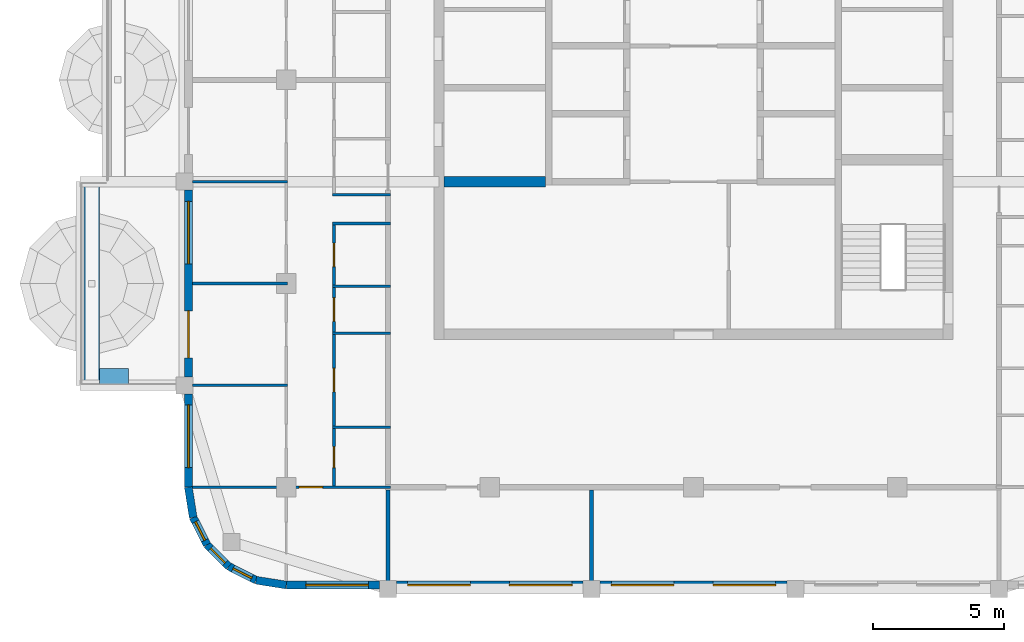
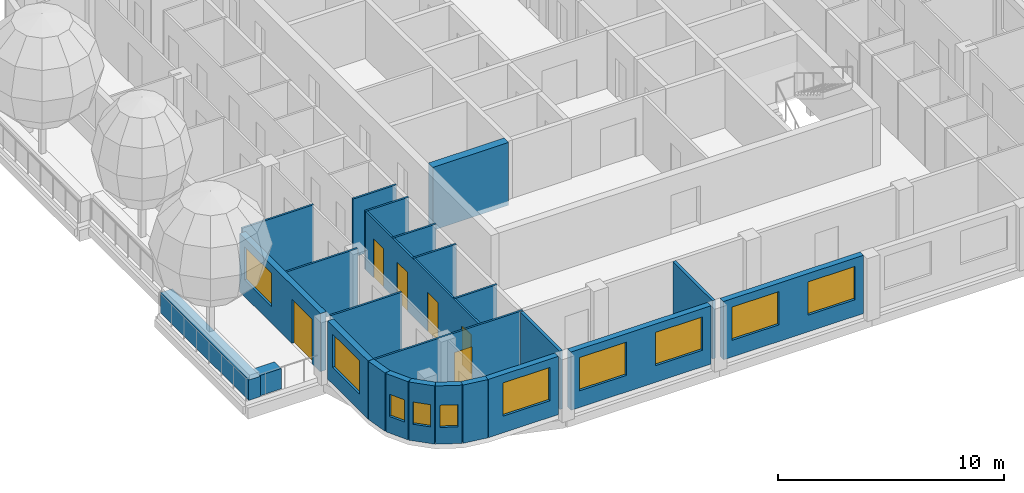
# One storey, part 2 of 13: 25 walls, 10 windows, 6 doors, 16 openings.
"""IFC4 building model written with IfcOpenShell, lengths in metres."""

from ifc_helpers import new_model, si_unit, direction, frame, frame_2d, origin, place, context, subcontext, project, spatial, rectangle, extrude, material, layer, layer_set, type_object, element, fill, save


model = new_model("IFC4")

# Units and contexts
model_context = context("Model", 3, precision=1e-05, world=origin(), true_north=direction((0.0, 1.0)))
body_context = subcontext(model_context, "Body", "Model", "MODEL_VIEW")
ifc_project = project(units=[si_unit("LENGTHUNIT", "METRE"), si_unit("AREAUNIT", "SQUARE_METRE"), si_unit("VOLUMEUNIT", "CUBIC_METRE"), si_unit("PLANEANGLEUNIT", "RADIAN"), si_unit("MASSUNIT", "GRAM", prefix="KILO")], contexts=[model_context])

# Site, building, storey
site_placement = place(None, origin())
site = spatial("IfcSite", under=ifc_project, at=site_placement, CompositionType="ELEMENT")
building_placement = place(site_placement, origin())
building = spatial("IfcBuilding", under=site, at=building_placement, Name="Ludao Terraces", CompositionType="ELEMENT")
storey_placement = place(building_placement, frame((0.0, 0.0, 259.60009765625)))
storey = spatial("IfcBuildingStorey", under=building, at=storey_placement, Name="L71", CompositionType="ELEMENT", Elevation=259.60009765625)

# Walls
ifc_material_1 = material(Name="Concrete C40", Category="concrete")
ifc_layer_1 = layer(ifc_material_1, 0.60009765625)
ifc_layer_set_1 = layer_set([ifc_layer_1], Name="ENV Planter trough 600")
wall_type_1 = type_object("IfcWallType", Name="ENV Planter trough 600", PredefinedType="USERDEFINED", material=ifc_layer_set_1)
wall_1_placement = place(storey_placement, frame((61.949951171875, 53.300048828125, 0.0), z_axis=(0.0, 0.0, 1.0), x_axis=(0.0, 1.0, 0.0)))
element("IfcWall", 1, at=wall_1_placement, inside=storey, type_object=wall_type_1, Name="PL-L71-W1", ObjectType="PLANTER", PredefinedType="USERDEFINED", context=body_context, shape_type="SweptSolid", body=[
    extrude(rectangle(XDim=7.800048828125, YDim=0.60009765625, at=frame_2d((3.89990234375, 0.0))), origin(), (0.0, 0.0, 1.0), 1.099853515625),
])
wall_2_placement = place(storey_placement, frame((62.25, 53.64990234375, 0.0), z_axis=(0.0, 0.0, 1.0), x_axis=(1.0, 0.0, 0.0)))
element("IfcWall", 2, at=wall_2_placement, inside=storey, type_object=wall_type_1, Name="PL-L71-W1-SA", ObjectType="PLANTER", PredefinedType="USERDEFINED", context=body_context, shape_type="SweptSolid", body=[
    extrude(rectangle(XDim=1.10009765625, YDim=0.60009765625, at=frame_2d((0.550048828125, 0.0))), origin(), (0.0, 0.0, 1.0), 1.099853515625),
])

# Wall, opening, window
ifc_material_2 = material(Name="Granite cladding", Category="masonry")
ifc_layer_2 = layer(ifc_material_2, 0.0400390625, Category="stone")
ifc_material_3 = material(Name="Mineral wool")
ifc_layer_3 = layer(ifc_material_3, 0.06005859375)
ifc_layer_4 = layer(ifc_material_1, 0.199951171875, Category="concrete")
ifc_layer_set_2 = layer_set([ifc_layer_2, ifc_layer_3, ifc_layer_4], Name="ENV Stone-clad wall 300")
wall_type_2 = type_object("IfcWallType", Name="ENV Stone-clad wall 300", PredefinedType="SOLIDWALL", material=ifc_layer_set_2)
wall_3_placement = place(storey_placement, frame((69.39990234375, 45.64990234375, 0.0), z_axis=(0.0, 0.0, 1.0), x_axis=(1.0, 0.0, 0.0)))
wall_3 = element("IfcWall", 3, at=wall_3_placement, inside=storey, type_object=wall_type_2, Name="EW-L71-S1", PredefinedType="SOLIDWALL", context=body_context, shape_type="SweptSolid", body=[
    extrude(rectangle(XDim=3.5751953125, YDim=0.300048828125, at=frame_2d((1.78759765625, 0.0))), origin(), (0.0, 0.0, 1.0), 3.14990234375),
])
opening_1_placement = place(wall_3_placement, frame((0.75, 0.0, 0.89990234375)))
opening_1 = element("IfcOpeningElement", 4, at=opening_1_placement, cuts=wall_3, Name="Opening W1", PredefinedType="OPENING", context=body_context, shape_type="SweptSolid", body=[
    extrude(rectangle(XDim=2.39990234375, YDim=1.800048828125, at=frame_2d((1.199951171875, 0.89990234375))), frame((0.0, 0.16015625, 0.0), z_axis=(0.0, -1.0, 0.0), x_axis=(1.0, 0.0, 0.0)), (0.0, 0.0, 1.0), 0.320068359375),
])
ifc_material_4 = material(Name="Clear glass in aluminium frame", Category="aluminium")
ifc_layer_5 = layer(ifc_material_4, 0.06005859375)
ifc_layer_set_3 = layer_set([ifc_layer_5], Name="ENV Window W1 2400x1800")
window_type_1 = type_object("IfcWindowType", Name="ENV Window W1 2400x1800", PartitioningType="DOUBLE_PANEL_VERTICAL", PredefinedType="WINDOW", material=ifc_layer_set_3)
window_1_placement = place(opening_1_placement, origin())
window_1 = element("IfcWindow", 5, at=window_1_placement, inside=storey, type_object=window_type_1, Name="W-L71-S1-1", OverallHeight=1.800048828125, OverallWidth=2.39990234375, PartitioningType="DOUBLE_PANEL_VERTICAL", PredefinedType="WINDOW", context=body_context, shape_type="SweptSolid", body=[
    extrude(rectangle(XDim=2.39990234375, YDim=1.800048828125, at=frame_2d((1.199951171875, 0.89990234375))), frame((0.0, 0.030029296875, 0.0), z_axis=(0.0, -1.0, 0.0), x_axis=(1.0, 0.0, 0.0)), (0.0, 0.0, 1.0), 0.06005859375),
])
fill(opening_1, window_1)

# Wall, openings, windows
wall_4_placement = place(storey_placement, frame((73.625, 45.64990234375, 0.0), z_axis=(0.0, 0.0, 1.0), x_axis=(1.0, 0.0, 0.0)))
wall_4 = element("IfcWall", 6, at=wall_4_placement, inside=storey, type_object=wall_type_2, Name="EW-L71-S2", PredefinedType="SOLIDWALL", context=body_context, shape_type="SweptSolid", body=[
    extrude(rectangle(XDim=7.14990234375, YDim=0.300048828125, at=frame_2d((3.574951171875, 0.0))), origin(), (0.0, 0.0, 1.0), 3.14990234375),
])
opening_2_placement = place(wall_4_placement, frame((0.425048828125, 0.0, 0.89990234375)))
opening_2 = element("IfcOpeningElement", 7, at=opening_2_placement, cuts=wall_4, Name="Opening W1", PredefinedType="OPENING", context=body_context, shape_type="SweptSolid", body=[
    extrude(rectangle(XDim=2.39990234375, YDim=1.800048828125, at=frame_2d((1.199951171875, 0.89990234375))), frame((0.0, 0.16015625, 0.0), z_axis=(0.0, -1.0, 0.0), x_axis=(1.0, 0.0, 0.0)), (0.0, 0.0, 1.0), 0.320068359375),
])
opening_3_placement = place(wall_4_placement, frame((4.324951171875, 0.0, 0.89990234375)))
opening_3 = element("IfcOpeningElement", 8, at=opening_3_placement, cuts=wall_4, Name="Opening W1", PredefinedType="OPENING", context=body_context, shape_type="SweptSolid", body=[
    extrude(rectangle(XDim=2.39990234375, YDim=1.800048828125, at=frame_2d((1.199951171875, 0.89990234375))), frame((0.0, 0.16015625, 0.0), z_axis=(0.0, -1.0, 0.0), x_axis=(1.0, 0.0, 0.0)), (0.0, 0.0, 1.0), 0.320068359375),
])
window_2_placement = place(opening_2_placement, origin())
window_2 = element("IfcWindow", 9, at=window_2_placement, inside=storey, type_object=window_type_1, Name="W-L71-S2-1", OverallHeight=1.800048828125, OverallWidth=2.39990234375, PartitioningType="DOUBLE_PANEL_VERTICAL", PredefinedType="WINDOW", context=body_context, shape_type="SweptSolid", body=[
    extrude(rectangle(XDim=2.39990234375, YDim=1.800048828125, at=frame_2d((1.199951171875, 0.89990234375))), frame((0.0, 0.030029296875, 0.0), z_axis=(0.0, -1.0, 0.0), x_axis=(1.0, 0.0, 0.0)), (0.0, 0.0, 1.0), 0.06005859375),
])
fill(opening_2, window_2)
window_3_placement = place(opening_3_placement, origin())
window_3 = element("IfcWindow", 10, at=window_3_placement, inside=storey, type_object=window_type_1, Name="W-L71-S2-2", OverallHeight=1.800048828125, OverallWidth=2.39990234375, PartitioningType="DOUBLE_PANEL_VERTICAL", PredefinedType="WINDOW", context=body_context, shape_type="SweptSolid", body=[
    extrude(rectangle(XDim=2.39990234375, YDim=1.800048828125, at=frame_2d((1.199951171875, 0.89990234375))), frame((0.0, 0.030029296875, 0.0), z_axis=(0.0, -1.0, 0.0), x_axis=(1.0, 0.0, 0.0)), (0.0, 0.0, 1.0), 0.06005859375),
])
fill(opening_3, window_3)

wall_5_placement = place(storey_placement, frame((81.425048828125, 45.64990234375, 0.0), z_axis=(0.0, 0.0, 1.0), x_axis=(1.0, 0.0, 0.0)))
wall_5 = element("IfcWall", 11, at=wall_5_placement, inside=storey, type_object=wall_type_2, Name="EW-L71-S3", PredefinedType="SOLIDWALL", context=body_context, shape_type="SweptSolid", body=[
    extrude(rectangle(XDim=7.14990234375, YDim=0.300048828125, at=frame_2d((3.574951171875, 0.0))), origin(), (0.0, 0.0, 1.0), 3.14990234375),
])
opening_4_placement = place(wall_5_placement, frame((0.425048828125, 0.0, 0.89990234375)))
opening_4 = element("IfcOpeningElement", 12, at=opening_4_placement, cuts=wall_5, Name="Opening W1", PredefinedType="OPENING", context=body_context, shape_type="SweptSolid", body=[
    extrude(rectangle(XDim=2.39990234375, YDim=1.800048828125, at=frame_2d((1.199951171875, 0.89990234375))), frame((0.0, 0.16015625, 0.0), z_axis=(0.0, -1.0, 0.0), x_axis=(1.0, 0.0, 0.0)), (0.0, 0.0, 1.0), 0.320068359375),
])
opening_5_placement = place(wall_5_placement, frame((4.324951171875, 0.0, 0.89990234375)))
opening_5 = element("IfcOpeningElement", 13, at=opening_5_placement, cuts=wall_5, Name="Opening W1", PredefinedType="OPENING", context=body_context, shape_type="SweptSolid", body=[
    extrude(rectangle(XDim=2.39990234375, YDim=1.800048828125, at=frame_2d((1.199951171875, 0.89990234375))), frame((0.0, 0.16015625, 0.0), z_axis=(0.0, -1.0, 0.0), x_axis=(1.0, 0.0, 0.0)), (0.0, 0.0, 1.0), 0.320068359375),
])
window_4_placement = place(opening_4_placement, origin())
window_4 = element("IfcWindow", 14, at=window_4_placement, inside=storey, type_object=window_type_1, Name="W-L71-S3-1", OverallHeight=1.800048828125, OverallWidth=2.39990234375, PartitioningType="DOUBLE_PANEL_VERTICAL", PredefinedType="WINDOW", context=body_context, shape_type="SweptSolid", body=[
    extrude(rectangle(XDim=2.39990234375, YDim=1.800048828125, at=frame_2d((1.199951171875, 0.89990234375))), frame((0.0, 0.030029296875, 0.0), z_axis=(0.0, -1.0, 0.0), x_axis=(1.0, 0.0, 0.0)), (0.0, 0.0, 1.0), 0.06005859375),
])
fill(opening_4, window_4)
window_5_placement = place(opening_5_placement, origin())
window_5 = element("IfcWindow", 15, at=window_5_placement, inside=storey, type_object=window_type_1, Name="W-L71-S3-2", OverallHeight=1.800048828125, OverallWidth=2.39990234375, PartitioningType="DOUBLE_PANEL_VERTICAL", PredefinedType="WINDOW", context=body_context, shape_type="SweptSolid", body=[
    extrude(rectangle(XDim=2.39990234375, YDim=1.800048828125, at=frame_2d((1.199951171875, 0.89990234375))), frame((0.0, 0.030029296875, 0.0), z_axis=(0.0, -1.0, 0.0), x_axis=(1.0, 0.0, 0.0)), (0.0, 0.0, 1.0), 0.06005859375),
])
fill(opening_5, window_5)

# Wall, opening, window
wall_6_placement = place(storey_placement, frame((65.64990234375, 49.39990234375, 0.0), z_axis=(0.0, 0.0, 1.0), x_axis=(0.0, 1.0, 0.0)))
wall_6 = element("IfcWall", 16, at=wall_6_placement, inside=storey, type_object=wall_type_2, Name="EW-L71-W1", PredefinedType="SOLIDWALL", context=body_context, shape_type="SweptSolid", body=[
    extrude(rectangle(XDim=3.5751953125, YDim=0.300048828125, at=frame_2d((1.78759765625, 0.0))), origin(), (0.0, 0.0, 1.0), 3.14990234375),
])
opening_6_placement = place(wall_6_placement, frame((0.75, 0.0, 0.89990234375)))
opening_6 = element("IfcOpeningElement", 17, at=opening_6_placement, cuts=wall_6, Name="Opening W1", PredefinedType="OPENING", context=body_context, shape_type="SweptSolid", body=[
    extrude(rectangle(XDim=2.39990234375, YDim=1.800048828125, at=frame_2d((1.199951171875, 0.89990234375))), frame((0.0, 0.16015625, 0.0), z_axis=(0.0, -1.0, 0.0), x_axis=(1.0, 0.0, 0.0)), (0.0, 0.0, 1.0), 0.320068359375),
])
window_6_placement = place(opening_6_placement, origin())
window_6 = element("IfcWindow", 18, at=window_6_placement, inside=storey, type_object=window_type_1, Name="W-L71-W1-1", OverallHeight=1.800048828125, OverallWidth=2.39990234375, PartitioningType="DOUBLE_PANEL_VERTICAL", PredefinedType="WINDOW", context=body_context, shape_type="SweptSolid", body=[
    extrude(rectangle(XDim=2.39990234375, YDim=1.800048828125, at=frame_2d((1.199951171875, 0.89990234375))), frame((0.0, 0.030029296875, 0.0), z_axis=(0.0, -1.0, 0.0), x_axis=(1.0, 0.0, 0.0)), (0.0, 0.0, 1.0), 0.06005859375),
])
fill(opening_6, window_6)

# Wall, openings, door, window
wall_7_placement = place(storey_placement, frame((65.64990234375, 53.625, 0.0), z_axis=(0.0, 0.0, 1.0), x_axis=(0.0, 1.0, 0.0)))
wall_7 = element("IfcWall", 19, at=wall_7_placement, inside=storey, type_object=wall_type_2, Name="EW-L71-W2", PredefinedType="SOLIDWALL", context=body_context, shape_type="SweptSolid", body=[
    extrude(rectangle(XDim=7.14990234375, YDim=0.300048828125, at=frame_2d((3.574951171875, 0.0))), origin(), (0.0, 0.0, 1.0), 3.14990234375),
])
opening_7_placement = place(wall_7_placement, frame((0.72509765625, 0.0, 0.0)))
opening_7 = element("IfcOpeningElement", 20, at=opening_7_placement, cuts=wall_7, Name="Opening BD", PredefinedType="OPENING", context=body_context, shape_type="SweptSolid", body=[
    extrude(rectangle(XDim=1.800048828125, YDim=2.39990234375, at=frame_2d((0.89990234375, 1.199951171875))), frame((0.0, 0.16015625, 0.0), z_axis=(0.0, -1.0, 0.0), x_axis=(1.0, 0.0, 0.0)), (0.0, 0.0, 1.0), 0.320068359375),
])
opening_8_placement = place(wall_7_placement, frame((4.324951171875, 0.0, 0.89990234375)))
opening_8 = element("IfcOpeningElement", 21, at=opening_8_placement, cuts=wall_7, Name="Opening W1", PredefinedType="OPENING", context=body_context, shape_type="SweptSolid", body=[
    extrude(rectangle(XDim=2.39990234375, YDim=1.800048828125, at=frame_2d((1.199951171875, 0.89990234375))), frame((0.0, 0.16015625, 0.0), z_axis=(0.0, -1.0, 0.0), x_axis=(1.0, 0.0, 0.0)), (0.0, 0.0, 1.0), 0.320068359375),
])
ifc_material_5 = material(Name="Aluminium glazed door", Category="aluminium")
ifc_layer_6 = layer(ifc_material_5, 0.06005859375)
ifc_layer_set_4 = layer_set([ifc_layer_6], Name="ENV Balcony door BD 1800x2400")
door_type_1 = type_object("IfcDoorType", Name="ENV Balcony door BD 1800x2400", OperationType="DOUBLE_DOOR_SINGLE_SWING", PredefinedType="DOOR", material=ifc_layer_set_4)
door_1_placement = place(opening_7_placement, origin())
door_1 = element("IfcDoor", 22, at=door_1_placement, inside=storey, type_object=door_type_1, Name="BD-L71-W2-1", OperationType="DOUBLE_DOOR_SINGLE_SWING", OverallHeight=2.39990234375, OverallWidth=1.800048828125, PredefinedType="DOOR", context=body_context, shape_type="SweptSolid", body=[
    extrude(rectangle(XDim=1.800048828125, YDim=2.39990234375, at=frame_2d((0.89990234375, 1.199951171875))), frame((0.0, 0.02490234375, 0.0), z_axis=(0.0, -1.0, 0.0), x_axis=(1.0, 0.0, 0.0)), (0.0, 0.0, 1.0), 0.050048828125),
])
fill(opening_7, door_1)
window_7_placement = place(opening_8_placement, origin())
window_7 = element("IfcWindow", 23, at=window_7_placement, inside=storey, type_object=window_type_1, Name="W-L71-W2-2", OverallHeight=1.800048828125, OverallWidth=2.39990234375, PartitioningType="DOUBLE_PANEL_VERTICAL", PredefinedType="WINDOW", context=body_context, shape_type="SweptSolid", body=[
    extrude(rectangle(XDim=2.39990234375, YDim=1.800048828125, at=frame_2d((1.199951171875, 0.89990234375))), frame((0.0, 0.030029296875, 0.0), z_axis=(0.0, -1.0, 0.0), x_axis=(1.0, 0.0, 0.0)), (0.0, 0.0, 1.0), 0.06005859375),
])
fill(opening_8, window_7)

# Wall
wall_8_placement = place(storey_placement, frame((65.64990234375, 49.39990234375, 0.0), z_axis=(0.0, 0.0, 1.0), x_axis=(0.156496880861, -0.987678452879, 0.0)))
element("IfcWall", 24, at=wall_8_placement, inside=storey, type_object=wall_type_2, Name="EW-L71-SW1", PredefinedType="SOLIDWALL", context=body_context, shape_type="SweptSolid", body=[
    extrude(rectangle(XDim=1.173095703125, YDim=0.300048828125, at=frame_2d((0.58642578125, 0.0))), origin(), (0.0, 0.0, 1.0), 3.14990234375),
])

# Wall, opening, window
wall_9_placement = place(storey_placement, frame((65.83349609375, 48.2412109375, 0.0), z_axis=(0.0, 0.0, 1.0), x_axis=(0.454025524128, -0.890988677504, 0.0)))
wall_9 = element("IfcWall", 25, at=wall_9_placement, inside=storey, type_object=wall_type_2, Name="EW-L71-SW2", PredefinedType="SOLIDWALL", context=body_context, shape_type="SweptSolid", body=[
    extrude(rectangle(XDim=1.17333984375, YDim=0.300048828125, at=frame_2d((0.586669921875, 0.0))), origin(), (0.0, 0.0, 1.0), 3.14990234375),
])
opening_9_placement = place(wall_9_placement, frame((0.1865234375, 0.0, 0.89990234375)))
opening_9 = element("IfcOpeningElement", 26, at=opening_9_placement, cuts=wall_9, Name="Opening W3", PredefinedType="OPENING", context=body_context, shape_type="SweptSolid", body=[
    extrude(rectangle(XDim=0.800048828125, YDim=1.199951171875, at=frame_2d((0.39990234375, 0.60009765625))), frame((0.0, 0.16015625, 0.0), z_axis=(0.0, -1.0, 0.0), x_axis=(1.0, 0.0, 0.0)), (0.0, 0.0, 1.0), 0.320068359375),
])
ifc_layer_7 = layer(ifc_material_4, 0.06005859375)
ifc_layer_set_5 = layer_set([ifc_layer_7], Name="ENV Window W3 800x1200")
window_type_2 = type_object("IfcWindowType", Name="ENV Window W3 800x1200", PartitioningType="SINGLE_PANEL", PredefinedType="WINDOW", material=ifc_layer_set_5)
window_8_placement = place(opening_9_placement, origin())
window_8 = element("IfcWindow", 27, at=window_8_placement, inside=storey, type_object=window_type_2, Name="W-L71-SW2", OverallHeight=1.199951171875, OverallWidth=0.800048828125, PartitioningType="SINGLE_PANEL", PredefinedType="WINDOW", context=body_context, shape_type="SweptSolid", body=[
    extrude(rectangle(XDim=0.800048828125, YDim=1.199951171875, at=frame_2d((0.39990234375, 0.60009765625))), frame((0.0, 0.030029296875, 0.0), z_axis=(0.0, -1.0, 0.0), x_axis=(1.0, 0.0, 0.0)), (0.0, 0.0, 1.0), 0.06005859375),
])
fill(opening_9, window_8)

wall_10_placement = place(storey_placement, frame((66.3662109375, 47.19580078125, 0.0), z_axis=(0.0, 0.0, 1.0), x_axis=(0.707106781187, -0.707106781187, 0.0)))
wall_10 = element("IfcWall", 28, at=wall_10_placement, inside=storey, type_object=wall_type_2, Name="EW-L71-SW3", PredefinedType="SOLIDWALL", context=body_context, shape_type="SweptSolid", body=[
    extrude(rectangle(XDim=1.173095703125, YDim=0.300048828125, at=frame_2d((0.58642578125, 0.0))), origin(), (0.0, 0.0, 1.0), 3.14990234375),
])
opening_10_placement = place(wall_10_placement, frame((0.1865234375, 0.0, 0.89990234375)))
opening_10 = element("IfcOpeningElement", 29, at=opening_10_placement, cuts=wall_10, Name="Opening W3", PredefinedType="OPENING", context=body_context, shape_type="SweptSolid", body=[
    extrude(rectangle(XDim=0.800048828125, YDim=1.199951171875, at=frame_2d((0.39990234375, 0.60009765625))), frame((0.0, 0.16015625, 0.0), z_axis=(0.0, -1.0, 0.0), x_axis=(1.0, 0.0, 0.0)), (0.0, 0.0, 1.0), 0.320068359375),
])
window_9_placement = place(opening_10_placement, origin())
window_9 = element("IfcWindow", 30, at=window_9_placement, inside=storey, type_object=window_type_2, Name="W-L71-SW3", OverallHeight=1.199951171875, OverallWidth=0.800048828125, PartitioningType="SINGLE_PANEL", PredefinedType="WINDOW", context=body_context, shape_type="SweptSolid", body=[
    extrude(rectangle(XDim=0.800048828125, YDim=1.199951171875, at=frame_2d((0.39990234375, 0.60009765625))), frame((0.0, 0.030029296875, 0.0), z_axis=(0.0, -1.0, 0.0), x_axis=(1.0, 0.0, 0.0)), (0.0, 0.0, 1.0), 0.06005859375),
])
fill(opening_10, window_9)

wall_11_placement = place(storey_placement, frame((67.19580078125, 46.3662109375, 0.0), z_axis=(0.0, 0.0, 1.0), x_axis=(0.890988677504, -0.454025524128, 0.0)))
wall_11 = element("IfcWall", 31, at=wall_11_placement, inside=storey, type_object=wall_type_2, Name="EW-L71-SW4", PredefinedType="SOLIDWALL", context=body_context, shape_type="SweptSolid", body=[
    extrude(rectangle(XDim=1.17333984375, YDim=0.300048828125, at=frame_2d((0.586669921875, 0.0))), origin(), (0.0, 0.0, 1.0), 3.14990234375),
])
opening_11_placement = place(wall_11_placement, frame((0.1865234375, 0.0, 0.89990234375)))
opening_11 = element("IfcOpeningElement", 32, at=opening_11_placement, cuts=wall_11, Name="Opening W3", PredefinedType="OPENING", context=body_context, shape_type="SweptSolid", body=[
    extrude(rectangle(XDim=0.800048828125, YDim=1.199951171875, at=frame_2d((0.39990234375, 0.60009765625))), frame((0.0, 0.16015625, 0.0), z_axis=(0.0, -1.0, 0.0), x_axis=(1.0, 0.0, 0.0)), (0.0, 0.0, 1.0), 0.320068359375),
])
window_10_placement = place(opening_11_placement, origin())
window_10 = element("IfcWindow", 33, at=window_10_placement, inside=storey, type_object=window_type_2, Name="W-L71-SW4", OverallHeight=1.199951171875, OverallWidth=0.800048828125, PartitioningType="SINGLE_PANEL", PredefinedType="WINDOW", context=body_context, shape_type="SweptSolid", body=[
    extrude(rectangle(XDim=0.800048828125, YDim=1.199951171875, at=frame_2d((0.39990234375, 0.60009765625))), frame((0.0, 0.030029296875, 0.0), z_axis=(0.0, -1.0, 0.0), x_axis=(1.0, 0.0, 0.0)), (0.0, 0.0, 1.0), 0.06005859375),
])
fill(opening_11, window_10)

# Wall
wall_12_placement = place(storey_placement, frame((68.2412109375, 45.83349609375, 0.0), z_axis=(0.0, 0.0, 1.0), x_axis=(0.987678452879, -0.156496880861, 0.0)))
element("IfcWall", 34, at=wall_12_placement, inside=storey, type_object=wall_type_2, Name="EW-L71-SW5", PredefinedType="SOLIDWALL", context=body_context, shape_type="SweptSolid", body=[
    extrude(rectangle(XDim=1.173095703125, YDim=0.300048828125, at=frame_2d((0.58642578125, 0.0))), origin(), (0.0, 0.0, 1.0), 3.14990234375),
])

# Wall, opening, door
ifc_material_6 = material(Name="Gypsum plasterboard", Category="gypsum")
ifc_layer_8 = layer(ifc_material_6, 0.012451171875, Category="gypsum")
ifc_layer_9 = layer(ifc_material_3, 0.06005859375, Name="insulation")
ifc_material_7 = material(Name="Steel Q235", Category="steel")
ifc_layer_10 = layer(ifc_material_7, 0.014892578125, Name="stud")
ifc_layer_11 = layer(ifc_material_6, 0.012451171875, Category="gypsum")
ifc_layer_set_6 = layer_set([ifc_layer_8, ifc_layer_9, ifc_layer_10, ifc_layer_11], Name="INT Partition 100")
wall_type_3 = type_object("IfcWallType", Name="INT Partition 100", PredefinedType="PARTITIONING", material=ifc_layer_set_6)
wall_13_placement = place(storey_placement, frame((65.800048828125, 49.39990234375, 0.0), z_axis=(0.0, 0.0, 1.0), x_axis=(1.0, 0.0, 0.0)))
wall_13 = element("IfcWall", 35, at=wall_13_placement, inside=storey, type_object=wall_type_3, Name="PW-L71-PW000", PredefinedType="PARTITIONING", context=body_context, shape_type="SweptSolid", body=[
    extrude(rectangle(XDim=7.60009765625, YDim=0.10009765625, at=frame_2d((3.800048828125, 0.0))), origin(), (0.0, 0.0, 1.0), 3.14990234375),
])
opening_12_placement = place(wall_13_placement, frame((4.090087890625, 0.0, 0.0)))
opening_12 = element("IfcOpeningElement", 36, at=opening_12_placement, cuts=wall_13, Name="Opening R26-003", PredefinedType="OPENING", context=body_context, shape_type="SweptSolid", body=[
    extrude(rectangle(XDim=0.89990234375, YDim=2.10009765625, at=frame_2d((0.449951171875, 1.050048828125))), frame((0.0, 0.06005859375, 0.0), z_axis=(0.0, -1.0, 0.0), x_axis=(1.0, 0.0, 0.0)), (0.0, 0.0, 1.0), 0.1201171875),
])
ifc_material_8 = material(Name="Timber door leaf", Category="wood")
door_type_2 = type_object("IfcDoorType", Name="INT Room door 900", OperationType="SINGLE_SWING_LEFT", PredefinedType="DOOR", material=ifc_material_8)
door_2_placement = place(opening_12_placement, origin())
door_2 = element("IfcDoor", 37, at=door_2_placement, inside=storey, type_object=door_type_2, Name="DOOR 003", OperationType="SINGLE_SWING_RIGHT", OverallHeight=2.10009765625, OverallWidth=0.89990234375, PredefinedType="DOOR", context=body_context, shape_type="SweptSolid", body=[
    extrude(rectangle(XDim=0.89990234375, YDim=2.10009765625, at=frame_2d((0.449951171875, 1.050048828125))), frame((0.0, 0.02490234375, 0.0), z_axis=(0.0, -1.0, 0.0), x_axis=(1.0, 0.0, 0.0)), (0.0, 0.0, 1.0), 0.050048828125),
])
fill(opening_12, door_2)

# Walls
wall_14_placement = place(storey_placement, frame((71.18017578125, 51.699951171875, 0.0), z_axis=(0.0, 0.0, 1.0), x_axis=(1.0, 0.0, 0.0)))
element("IfcWall", 38, at=wall_14_placement, inside=storey, type_object=wall_type_3, Name="PW-L71-PW003", PredefinedType="PARTITIONING", context=body_context, shape_type="SweptSolid", body=[
    extrude(rectangle(XDim=2.219970703125, YDim=0.10009765625, at=frame_2d((1.10986328125, 0.0))), origin(), (0.0, 0.0, 1.0), 3.14990234375),
])
wall_15_placement = place(storey_placement, frame((65.800048828125, 53.300048828125, 0.0), z_axis=(0.0, 0.0, 1.0), x_axis=(1.0, 0.0, 0.0)))
element("IfcWall", 39, at=wall_15_placement, inside=storey, type_object=wall_type_3, Name="PW-L71-PW005", PredefinedType="PARTITIONING", context=body_context, shape_type="SweptSolid", body=[
    extrude(rectangle(XDim=3.650146484375, YDim=0.10009765625, at=frame_2d((1.8251953125, 0.0))), origin(), (0.0, 0.0, 1.0), 3.14990234375),
])
for number, where, z_axis, x_axis, name in (
    (40, (71.18017578125, 55.300048828125, 0.0), (0.0, 0.0, 1.0), (1.0, 0.0, 0.0), "PW-L71-PW008"),
    (41, (71.18017578125, 57.10009765625, 0.0), (0.0, 0.0, 1.0), (1.0, 0.0, 0.0), "PW-L71-PW010"),
):
    element("IfcWall", number, at=place(storey_placement, frame(where, z_axis=z_axis, x_axis=x_axis)), inside=storey, type_object=wall_type_3, Name=name, PredefinedType="PARTITIONING", context=body_context, shape_type="SweptSolid", body=[
        extrude(rectangle(XDim=2.219970703125, YDim=0.10009765625, at=frame_2d((1.10986328125, 0.0))), origin(), (0.0, 0.0, 1.0), 3.14990234375),
    ])
wall_16_placement = place(storey_placement, frame((65.800048828125, 57.199951171875, 0.0), z_axis=(0.0, 0.0, 1.0), x_axis=(1.0, 0.0, 0.0)))
element("IfcWall", 42, at=wall_16_placement, inside=storey, type_object=wall_type_3, Name="PW-L71-PW011", PredefinedType="PARTITIONING", context=body_context, shape_type="SweptSolid", body=[
    extrude(rectangle(XDim=3.650146484375, YDim=0.10009765625, at=frame_2d((1.8251953125, 0.0))), origin(), (0.0, 0.0, 1.0), 3.14990234375),
])
for number, where, z_axis, x_axis, name in (
    (43, (71.18017578125, 59.5, 0.0), (0.0, 0.0, 1.0), (1.0, 0.0, 0.0), "PW-L71-PW014"),
    (44, (71.18017578125, 60.60009765625, 0.0), (0.0, 0.0, 1.0), (1.0, 0.0, 0.0), "PW-L71-PW016"),
):
    element("IfcWall", number, at=place(storey_placement, frame(where, z_axis=z_axis, x_axis=x_axis)), inside=storey, type_object=wall_type_3, Name=name, PredefinedType="PARTITIONING", context=body_context, shape_type="SweptSolid", body=[
        extrude(rectangle(XDim=2.219970703125, YDim=0.10009765625, at=frame_2d((1.10986328125, 0.0))), origin(), (0.0, 0.0, 1.0), 3.14990234375),
    ])
wall_17_placement = place(storey_placement, frame((65.800048828125, 61.10009765625, 0.0), z_axis=(0.0, 0.0, 1.0), x_axis=(1.0, 0.0, 0.0)))
element("IfcWall", 45, at=wall_17_placement, inside=storey, type_object=wall_type_3, Name="PW-L71-PW017", PredefinedType="PARTITIONING", context=body_context, shape_type="SweptSolid", body=[
    extrude(rectangle(XDim=3.650146484375, YDim=0.10009765625, at=frame_2d((1.8251953125, 0.0))), origin(), (0.0, 0.0, 1.0), 3.14990234375),
])

# Wall, openings, doors
wall_18_placement = place(storey_placement, frame((71.22998046875, 49.4501953125, 0.0), z_axis=(0.0, 0.0, 1.0), x_axis=(0.0, 1.0, 0.0)))
wall_18 = element("IfcWall", 46, at=wall_18_placement, inside=storey, type_object=wall_type_3, Name="PW-L71-PW048", PredefinedType="PARTITIONING", context=body_context, shape_type="SweptSolid", body=[
    extrude(rectangle(XDim=10.0, YDim=0.10009765625, at=frame_2d((5.0, 0.0))), origin(), (0.0, 0.0, 1.0), 3.14990234375),
])
opening_13_placement = place(wall_18_placement, frame((0.699951171875, 0.0, 0.0)))
opening_13 = element("IfcOpeningElement", 47, at=opening_13_placement, cuts=wall_18, Name="Opening R26-007", PredefinedType="OPENING", context=body_context, shape_type="SweptSolid", body=[
    extrude(rectangle(XDim=0.800048828125, YDim=2.10009765625, at=frame_2d((0.39990234375, 1.050048828125))), frame((0.0, 0.06005859375, 0.0), z_axis=(0.0, -1.0, 0.0), x_axis=(1.0, 0.0, 0.0)), (0.0, 0.0, 1.0), 0.1201171875),
])
opening_14_placement = place(wall_18_placement, frame((3.599853515625, 0.0, 0.0)))
opening_14 = element("IfcOpeningElement", 48, at=opening_14_placement, cuts=wall_18, Name="Opening R26-012", PredefinedType="OPENING", context=body_context, shape_type="SweptSolid", body=[
    extrude(rectangle(XDim=0.89990234375, YDim=2.10009765625, at=frame_2d((0.449951171875, 1.050048828125))), frame((0.0, 0.06005859375, 0.0), z_axis=(0.0, -1.0, 0.0), x_axis=(1.0, 0.0, 0.0)), (0.0, 0.0, 1.0), 0.1201171875),
])
opening_15_placement = place(wall_18_placement, frame((6.2998046875, 0.0, 0.0)))
opening_15 = element("IfcOpeningElement", 49, at=opening_15_placement, cuts=wall_18, Name="Opening R26-017", PredefinedType="OPENING", context=body_context, shape_type="SweptSolid", body=[
    extrude(rectangle(XDim=0.89990234375, YDim=2.10009765625, at=frame_2d((0.449951171875, 1.050048828125))), frame((0.0, 0.06005859375, 0.0), z_axis=(0.0, -1.0, 0.0), x_axis=(1.0, 0.0, 0.0)), (0.0, 0.0, 1.0), 0.1201171875),
])
opening_16_placement = place(wall_18_placement, frame((8.39990234375, 0.0, 0.0)))
opening_16 = element("IfcOpeningElement", 50, at=opening_16_placement, cuts=wall_18, Name="Opening R26-021", PredefinedType="OPENING", context=body_context, shape_type="SweptSolid", body=[
    extrude(rectangle(XDim=0.89990234375, YDim=2.10009765625, at=frame_2d((0.449951171875, 1.050048828125))), frame((0.0, 0.06005859375, 0.0), z_axis=(0.0, -1.0, 0.0), x_axis=(1.0, 0.0, 0.0)), (0.0, 0.0, 1.0), 0.1201171875),
])
door_type_3 = type_object("IfcDoorType", Name="INT Bathroom door 900", OperationType="SINGLE_SWING_LEFT", PredefinedType="DOOR", material=ifc_material_8)
door_3_placement = place(opening_15_placement, origin())
door_3 = element("IfcDoor", 51, at=door_3_placement, inside=storey, type_object=door_type_3, Name="DOOR 017", OperationType="SINGLE_SWING_RIGHT", OverallHeight=2.10009765625, OverallWidth=0.89990234375, PredefinedType="DOOR", context=body_context, shape_type="SweptSolid", body=[
    extrude(rectangle(XDim=0.89990234375, YDim=2.10009765625, at=frame_2d((0.449951171875, 1.050048828125))), frame((0.0, 0.02490234375, 0.0), z_axis=(0.0, -1.0, 0.0), x_axis=(1.0, 0.0, 0.0)), (0.0, 0.0, 1.0), 0.050048828125),
])
fill(opening_15, door_3)
door_4_placement = place(opening_16_placement, origin())
door_4 = element("IfcDoor", 52, at=door_4_placement, inside=storey, type_object=door_type_3, Name="DOOR 021", OperationType="SINGLE_SWING_RIGHT", OverallHeight=2.10009765625, OverallWidth=0.89990234375, PredefinedType="DOOR", context=body_context, shape_type="SweptSolid", body=[
    extrude(rectangle(XDim=0.89990234375, YDim=2.10009765625, at=frame_2d((0.449951171875, 1.050048828125))), frame((0.0, 0.02490234375, 0.0), z_axis=(0.0, -1.0, 0.0), x_axis=(1.0, 0.0, 0.0)), (0.0, 0.0, 1.0), 0.050048828125),
])
fill(opening_16, door_4)
door_5_placement = place(opening_14_placement, origin())
door_5 = element("IfcDoor", 53, at=door_5_placement, inside=storey, type_object=door_type_2, Name="DOOR 012", OperationType="SINGLE_SWING_RIGHT", OverallHeight=2.10009765625, OverallWidth=0.89990234375, PredefinedType="DOOR", context=body_context, shape_type="SweptSolid", body=[
    extrude(rectangle(XDim=0.89990234375, YDim=2.10009765625, at=frame_2d((0.449951171875, 1.050048828125))), frame((0.0, 0.02490234375, 0.0), z_axis=(0.0, -1.0, 0.0), x_axis=(1.0, 0.0, 0.0)), (0.0, 0.0, 1.0), 0.050048828125),
])
fill(opening_14, door_5)
door_type_4 = type_object("IfcDoorType", Name="INT Store door 800", OperationType="SINGLE_SWING_LEFT", PredefinedType="DOOR", material=ifc_material_8)
door_6_placement = place(opening_13_placement, origin())
door_6 = element("IfcDoor", 54, at=door_6_placement, inside=storey, type_object=door_type_4, Name="DOOR 007", OperationType="SINGLE_SWING_RIGHT", OverallHeight=2.10009765625, OverallWidth=0.800048828125, PredefinedType="DOOR", context=body_context, shape_type="SweptSolid", body=[
    extrude(rectangle(XDim=0.800048828125, YDim=2.10009765625, at=frame_2d((0.39990234375, 1.050048828125))), frame((0.0, 0.02490234375, 0.0), z_axis=(0.0, -1.0, 0.0), x_axis=(1.0, 0.0, 0.0)), (0.0, 0.0, 1.0), 0.050048828125),
])
fill(opening_13, door_6)

# Walls
ifc_material_9 = material(Name="Autoclaved aerated concrete block B06 A3.5", Category="concrete")
ifc_layer_12 = layer(ifc_material_9, 0.14990234375)
ifc_layer_set_7 = layer_set([ifc_layer_12], Name="INT Party wall 150")
wall_type_4 = type_object("IfcWallType", Name="INT Party wall 150", PredefinedType="PARTITIONING", material=ifc_layer_set_7)
for number, where, z_axis, x_axis, name in (
    (55, (73.300048828125, 45.800048828125, 0.0), (0.0, 0.0, 1.0), (0.0, 1.0, 0.0), "PW-L71-PW051"),
    (56, (81.10009765625, 45.800048828125, 0.0), (0.0, 0.0, 1.0), (0.0, 1.0, 0.0), "PW-L71-PW053"),
):
    element("IfcWall", number, at=place(storey_placement, frame(where, z_axis=z_axis, x_axis=x_axis)), inside=storey, type_object=wall_type_4, Name=name, PredefinedType="PARTITIONING", context=body_context, shape_type="SweptSolid", body=[
        extrude(rectangle(XDim=3.5, YDim=0.14990234375, at=frame_2d((1.75, 0.0))), origin(), (0.0, 0.0, 1.0), 3.14990234375),
    ])
ifc_material_10 = material(Name="Concrete C50", Category="concrete")
ifc_layer_13 = layer(ifc_material_10, 0.39990234375)
ifc_layer_set_8 = layer_set([ifc_layer_13], Name="Shaft wall 400 C50")
wall_type_5 = type_object("IfcWallType", Name="Shaft wall 400 C50", PredefinedType="SOLIDWALL", material=ifc_layer_set_8)
wall_19_placement = place(storey_placement, frame((75.449951171875, 61.10009765625, -0.25), z_axis=(0.0, 0.0, 1.0), x_axis=(1.0, 0.0, 0.0)))
element("IfcWall", 57, at=wall_19_placement, inside=storey, type_object=wall_type_5, Name="Core wall L71 hall-W", PredefinedType="SOLIDWALL", context=body_context, shape_type="SweptSolid", body=[
    extrude(rectangle(XDim=3.875, YDim=0.39990234375, at=frame_2d((1.9375, 0.0))), origin(), (0.0, 0.0, 1.0), 3.39990234375),
])

save(model, "model.ifc")
